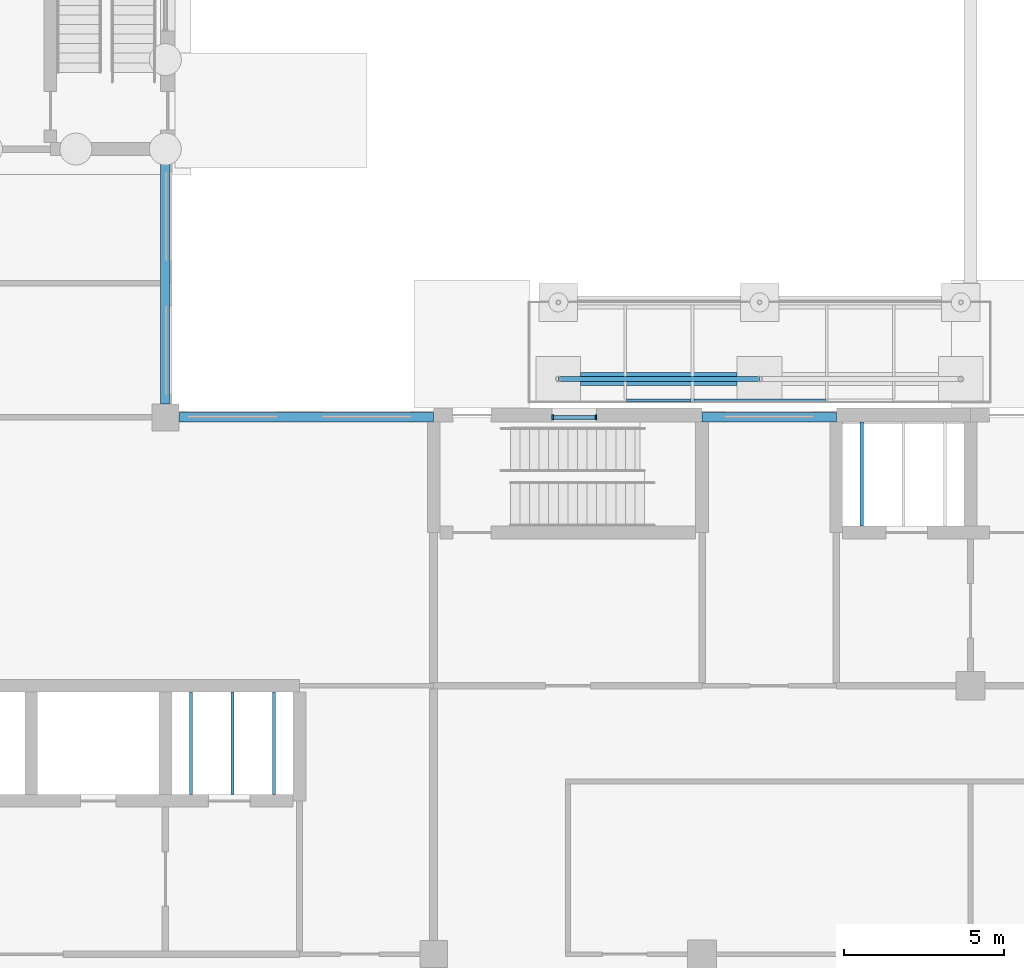
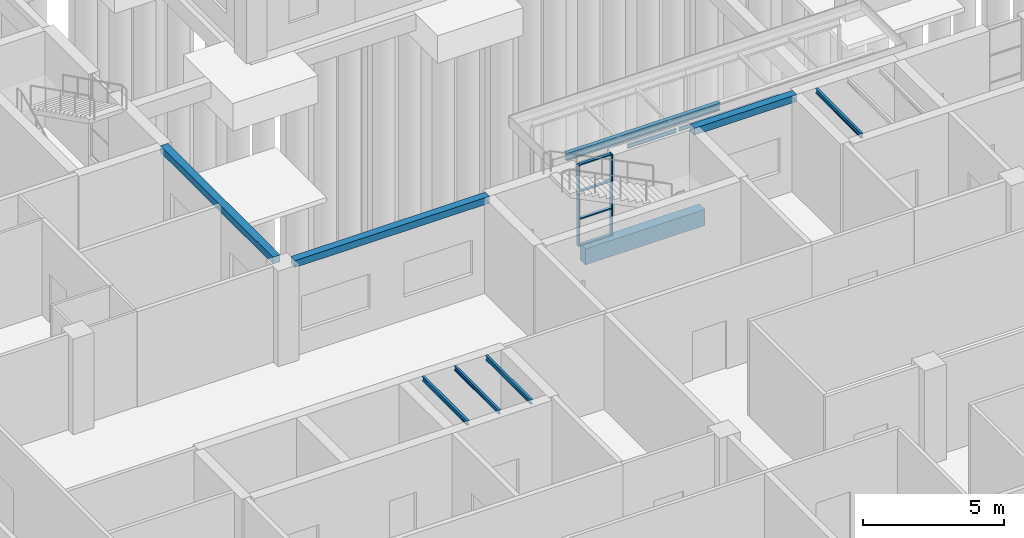
# One storey, part 32 of 138: 11 beams, 6 members, 1 element without a shape of its own.
"""IFC4 building model written with IfcOpenShell, lengths in metres."""

from ifc_helpers import new_model, si_unit, direction, frame, origin, origin_2d, place, context, subcontext, project, spatial, rectangle, i_section, extrude, material, material_profile, profile_set, type_object, element, aggregate, save


model = new_model("IFC4")

# Units and contexts
model_context = context("Model", 3, precision=1e-05, world=origin(), true_north=direction((0.0, 1.0)))
body_context = subcontext(model_context, "Body", "Model", "MODEL_VIEW")
ifc_project = project(units=[si_unit("LENGTHUNIT", "METRE"), si_unit("AREAUNIT", "SQUARE_METRE"), si_unit("VOLUMEUNIT", "CUBIC_METRE"), si_unit("PLANEANGLEUNIT", "RADIAN"), si_unit("MASSUNIT", "GRAM", prefix="KILO")], contexts=[model_context])

# Site, building, storey
site_placement = place(None, origin())
site = spatial("IfcSite", under=ifc_project, at=site_placement, CompositionType="ELEMENT")
building_placement = place(site_placement, origin())
building = spatial("IfcBuilding", under=site, at=building_placement, Name="Yavir Park General Hospital", CompositionType="ELEMENT")
storey_placement = place(building_placement, origin())
storey = spatial("IfcBuildingStorey", under=building, at=storey_placement, Name="L00", CompositionType="ELEMENT", Elevation=0.0)

# Beams
ifc_material_1 = material(Name="Steel S355", Category="steel")
ifc_material_profile_1 = material_profile(ifc_material_1, i_section(OverallWidth=0.08203125, OverallDepth=0.159912109375, WebThickness=0.0048828125, FlangeThickness=0.00732421875, FilletRadius=0.009033203125, at=origin_2d()), Name="IPE160")
ifc_profile_set_1 = profile_set([ifc_material_profile_1], Name="Steel S355")
beam_type_1 = type_object("IfcBeamType", Name="IPE 160 edge trimmer, up to 2.5 m span", PredefinedType="BEAM", material=ifc_profile_set_1)
beam_1_placement = place(storey_placement, frame((39.64111328125, 34.14111328125, 3.77001953125), z_axis=(1.0, 0.0, 0.0), x_axis=(0.0, 1.0, 0.0)))
element("IfcBeam", 1, at=beam_1_placement, inside=storey, type_object=beam_type_1, Name="B:ARC1:T1", PredefinedType="BEAM", context=body_context, shape_type="SweptSolid", body=[
    extrude(i_section(OverallWidth=0.08203125, OverallDepth=0.159912109375, WebThickness=0.0048828125, FlangeThickness=0.00732421875, FilletRadius=0.009033203125, at=origin_2d()), origin(), (0.0, 0.0, 1.0), 2.017822265625),
])
ifc_material_2 = material(Name="Steel S355", Category="steel")
ifc_material_profile_2 = material_profile(ifc_material_2, i_section(OverallWidth=0.08203125, OverallDepth=0.159912109375, WebThickness=0.0048828125, FlangeThickness=0.00732421875, FilletRadius=0.009033203125, at=origin_2d()), Name="IPE160")
ifc_profile_set_2 = profile_set([ifc_material_profile_2], Name="Steel S355")
beam_type_2 = type_object("IfcBeamType", Name="IPE 160 edge trimmer, up to 4.5 m span", PredefinedType="BEAM", material=ifc_profile_set_2)
beam_2_placement = place(storey_placement, frame((41.740966796875, 34.14111328125, 3.77001953125), z_axis=(1.0, 0.0, 0.0), x_axis=(0.0, 1.0, 0.0)))
element("IfcBeam", 2, at=beam_2_placement, inside=storey, type_object=beam_type_2, Name="B:ARC1:T2", PredefinedType="BEAM", context=body_context, shape_type="SweptSolid", body=[
    extrude(i_section(OverallWidth=0.08203125, OverallDepth=0.159912109375, WebThickness=0.0048828125, FlangeThickness=0.00732421875, FilletRadius=0.009033203125, at=origin_2d()), origin(), (0.0, 0.0, 1.0), 4.117919921875),
])
ifc_material_3 = material(Name="Steel S355", Category="steel")
ifc_material_profile_3 = material_profile(ifc_material_3, i_section(OverallWidth=0.091064453125, OverallDepth=0.179931640625, WebThickness=0.00537109375, FlangeThickness=0.008056640625, FilletRadius=0.009033203125, at=origin_2d()), Name="IPE180")
ifc_profile_set_3 = profile_set([ifc_material_profile_3], Name="Steel S355")
beam_type_3 = type_object("IfcBeamType", Name="IPE 180 lift hoist beam", PredefinedType="BEAM", material=ifc_profile_set_3)
beam_3_placement = place(storey_placement, frame((27.300048828125, 21.800048828125, 4.050048828125), z_axis=(0.0, 1.0, 0.0), x_axis=(-1.0, 0.0, 0.0)))
element("IfcBeam", 3, at=beam_3_placement, inside=storey, type_object=beam_type_3, Name="B:HOIST:FL1", PredefinedType="BEAM", context=body_context, shape_type="SweptSolid", body=[
    extrude(i_section(OverallWidth=0.091064453125, OverallDepth=0.179931640625, WebThickness=0.00537109375, FlangeThickness=0.008056640625, FilletRadius=0.009033203125, at=origin_2d()), origin(), (0.0, 0.0, 1.0), 3.199951171875),
])
ifc_material_4 = material(Name="Steel S355", Category="steel")
ifc_material_profile_4 = material_profile(ifc_material_4, i_section(OverallWidth=0.10009765625, OverallDepth=0.199951171875, WebThickness=0.005615234375, FlangeThickness=0.008544921875, FilletRadius=0.011962890625, at=origin_2d()), Name="IPE200")
ifc_profile_set_4 = profile_set([ifc_material_profile_4], Name="Steel S355")
beam_type_4 = type_object("IfcBeamType", Name="IPE 200 lift machine beam", PredefinedType="BEAM", material=ifc_profile_set_4)
for number, where, z_axis, x_axis, name in (
    (4, (26.0, 21.800048828125, 4.0400390625), (0.0, 1.0, 0.0), (-1.0, 0.0, 0.0), "B:MACH:FL1:0"),
    (5, (28.60009765625, 21.800048828125, 4.0400390625), (0.0, 1.0, 0.0), (-1.0, 0.0, 0.0), "B:MACH:FL1:1"),
):
    element("IfcBeam", number, at=place(storey_placement, frame(where, z_axis=z_axis, x_axis=x_axis)), inside=storey, type_object=beam_type_4, Name=name, PredefinedType="BEAM", context=body_context, shape_type="SweptSolid", body=[
        extrude(i_section(OverallWidth=0.10009765625, OverallDepth=0.199951171875, WebThickness=0.005615234375, FlangeThickness=0.008544921875, FilletRadius=0.011962890625, at=origin_2d()), origin(), (0.0, 0.0, 1.0), 3.199951171875),
    ])
beam_4_placement = place(storey_placement, frame((47.0, 30.199951171875, 4.0400390625), z_axis=(0.0, 1.0, 0.0), x_axis=(-1.0, 0.0, 0.0)))
element("IfcBeam", 6, at=beam_4_placement, inside=storey, type_object=beam_type_4, Name="B:MACH:FL2:0", PredefinedType="BEAM", context=body_context, shape_type="SweptSolid", body=[
    extrude(i_section(OverallWidth=0.10009765625, OverallDepth=0.199951171875, WebThickness=0.005615234375, FlangeThickness=0.008544921875, FilletRadius=0.011962890625, at=origin_2d()), origin(), (0.0, 0.0, 1.0), 3.25),
])
ifc_material_5 = material(Name="Steel S355", Category="steel")
ifc_material_profile_5 = material_profile(ifc_material_5, i_section(OverallWidth=0.159912109375, OverallDepth=0.330078125, WebThickness=0.007568359375, FlangeThickness=0.011474609375, FilletRadius=0.01806640625, at=origin_2d()), Name="IPE330")
ifc_profile_set_5 = profile_set([ifc_material_profile_5], Name="Steel S355")
beam_type_5 = type_object("IfcBeamType", Name="IPE 330 main beam, inner row, up to 6.5 m span", PredefinedType="BEAM", material=ifc_profile_set_5)
beam_5_placement = place(storey_placement, frame((37.5, 34.800048828125, 3.68505859375), z_axis=(1.0, 0.0, 0.0), x_axis=(0.0, 1.0, 0.0)))
element("IfcBeam", 7, at=beam_5_placement, inside=storey, type_object=beam_type_5, Name="B:ARC1:M00", PredefinedType="BEAM", context=body_context, shape_type="SweptSolid", body=[
    extrude(i_section(OverallWidth=0.159912109375, OverallDepth=0.330078125, WebThickness=0.007568359375, FlangeThickness=0.011474609375, FilletRadius=0.01806640625, at=origin_2d()), origin(), (0.0, 0.0, 1.0), 6.300048828125),
])
ifc_material_6 = material(Name="Concrete C35/45", Category="concrete")
ifc_material_profile_6 = material_profile(ifc_material_6, rectangle(XDim=0.300048828125, YDim=0.300048828125, at=origin_2d()), Name="RC300x300")
ifc_profile_set_6 = profile_set([ifc_material_profile_6], Name="Concrete C35/45")
beam_type_6 = type_object("IfcBeamType", Name="RC BEAM 300x300 edge beam", PredefinedType="BEAM", material=ifc_profile_set_6)
beam_6_placement = place(storey_placement, frame((25.625, 33.60009765625, 3.989990234375), z_axis=(1.0, 0.0, 0.0), x_axis=(0.0, 1.0, 0.0)))
element("IfcBeam", 8, at=beam_6_placement, inside=storey, type_object=beam_type_6, Name="B:EDGE:L00:013", PredefinedType="BEAM", context=body_context, shape_type="SweptSolid", body=[
    extrude(rectangle(XDim=0.300048828125, YDim=0.300048828125, at=origin_2d()), origin(), (0.0, 0.0, 1.0), 7.97509765625),
])
beam_7_placement = place(storey_placement, frame((42.0, 33.60009765625, 3.989990234375), z_axis=(1.0, 0.0, 0.0), x_axis=(0.0, 1.0, 0.0)))
element("IfcBeam", 9, at=beam_7_placement, inside=storey, type_object=beam_type_6, Name="B:EDGE:L00:014", PredefinedType="BEAM", context=body_context, shape_type="SweptSolid", body=[
    extrude(rectangle(XDim=0.300048828125, YDim=0.300048828125, at=origin_2d()), origin(), (0.0, 0.0, 1.0), 4.199951171875),
])
beam_8_placement = place(storey_placement, frame((25.199951171875, 34.02490234375, 3.989990234375), z_axis=(0.0, 1.0, 0.0), x_axis=(-1.0, 0.0, 0.0)))
element("IfcBeam", 10, at=beam_8_placement, inside=storey, type_object=beam_type_6, Name="B:EDGE:L00:035", PredefinedType="BEAM", context=body_context, shape_type="SweptSolid", body=[
    extrude(rectangle(XDim=0.300048828125, YDim=0.300048828125, at=origin_2d()), origin(), (0.0, 0.0, 1.0), 7.97509765625),
])
ifc_material_7 = material(Name="Concrete C35/45", Category="concrete")
ifc_material_profile_7 = material_profile(ifc_material_7, rectangle(XDim=0.39990234375, YDim=0.699951171875, at=origin_2d()), Name="RC400x700")
ifc_profile_set_7 = profile_set([ifc_material_profile_7], Name="Concrete C35/45")
beam_type_7 = type_object("IfcBeamType", Name="RC BEAM 400x700 ground beam", PredefinedType="BEAM", material=ifc_profile_set_7)
beam_9_placement = place(storey_placement, frame((38.199951171875, 34.800048828125, -0.800048828125), z_axis=(1.0, 0.0, 0.0), x_axis=(0.0, 1.0, 0.0)))
element("IfcBeam", 11, at=beam_9_placement, inside=storey, type_object=beam_type_7, Name="B:GND:ARC1:C00:ARC1:C01", PredefinedType="BEAM", context=body_context, shape_type="SweptSolid", body=[
    extrude(rectangle(XDim=0.39990234375, YDim=0.699951171875, at=origin_2d()), origin(), (0.0, 0.0, 1.0), 4.900146484375),
])

# Curtain wall, members
ifc_material_8 = material(Name="Aluminium curtain wall frame with insulated glazing", Category="aluminium")
curtain_wall_type = type_object("IfcCurtainWallType", Name="Stair light slot, ground floor, 3540 high, 1400 module", PredefinedType="NOTDEFINED", material=ifc_material_8)
curtain_wall_placement = place(storey_placement, origin())
curtain_wall = element("IfcCurtainWall", 12, at=curtain_wall_placement, inside=storey, type_object=curtain_wall_type, Name="CW19 L00-006", PredefinedType="NOTDEFINED")
ifc_material_9 = material(Name="Aluminium", Category="aluminium")
ifc_material_profile_8 = material_profile(ifc_material_9, rectangle(XDim=0.159912109375, YDim=0.050048828125, at=origin_2d()), Name="AL 50x160")
ifc_profile_set_8 = profile_set([ifc_material_profile_8], Name="Aluminium")
member_type_1 = type_object("IfcMemberType", Name="Stair light slot, ground floor, 3540 high mullion 50 x 160", PredefinedType="MULLION", material=ifc_profile_set_8)
member_1_placement = place(storey_placement, frame((37.324951171875, 33.60009765625, 0.60009765625), z_axis=(0.0, 0.0, 1.0), x_axis=(0.0, 1.0, 0.0)))
member_1 = element("IfcMember", 13, at=member_1_placement, type_object=member_type_1, Name="CW19 mullion 1", PredefinedType="MULLION", context=body_context, shape_type="SweptSolid", body=[
    extrude(rectangle(XDim=0.159912109375, YDim=0.050048828125, at=origin_2d()), origin(), (0.0, 0.0, 1.0), 3.539794921875),
])
member_2_placement = place(storey_placement, frame((38.675048828125, 33.60009765625, 0.60009765625), z_axis=(0.0, 0.0, 1.0), x_axis=(0.0, 1.0, 0.0)))
member_2 = element("IfcMember", 14, at=member_2_placement, type_object=member_type_1, Name="CW19 mullion 2", PredefinedType="MULLION", context=body_context, shape_type="SweptSolid", body=[
    extrude(rectangle(XDim=0.159912109375, YDim=0.050048828125, at=origin_2d()), origin(), (0.0, 0.0, 1.0), 3.539794921875),
])
ifc_material_10 = material(Name="Aluminium", Category="aluminium")
ifc_material_profile_9 = material_profile(ifc_material_10, rectangle(XDim=0.1201171875, YDim=0.050048828125, at=origin_2d()), Name="AL 120x50")
ifc_profile_set_9 = profile_set([ifc_material_profile_9], Name="Aluminium")
member_type_2 = type_object("IfcMemberType", Name="Stair light slot, ground floor, 3540 high transom 50 x 120", PredefinedType="MULLION", material=ifc_profile_set_9)
member_3_placement = place(storey_placement, frame((37.35009765625, 33.60009765625, 0.625), z_axis=(1.0, 0.0, 0.0), x_axis=(0.0, 1.0, 0.0)))
member_3 = element("IfcMember", 15, at=member_3_placement, type_object=member_type_2, Name="CW19 transom 1.1", PredefinedType="MULLION", context=body_context, shape_type="SweptSolid", body=[
    extrude(rectangle(XDim=0.1201171875, YDim=0.050048828125, at=origin_2d()), origin(), (0.0, 0.0, 1.0), 1.2998046875),
])
member_4_placement = place(storey_placement, frame((37.35009765625, 33.60009765625, 1.780029296875), z_axis=(1.0, 0.0, 0.0), x_axis=(0.0, 1.0, 0.0)))
member_4 = element("IfcMember", 16, at=member_4_placement, type_object=member_type_2, Name="CW19 transom 1.2", PredefinedType="MULLION", context=body_context, shape_type="SweptSolid", body=[
    extrude(rectangle(XDim=0.1201171875, YDim=0.050048828125, at=origin_2d()), origin(), (0.0, 0.0, 1.0), 1.2998046875),
])
member_5_placement = place(storey_placement, frame((37.35009765625, 33.60009765625, 2.9599609375), z_axis=(1.0, 0.0, 0.0), x_axis=(0.0, 1.0, 0.0)))
member_5 = element("IfcMember", 17, at=member_5_placement, type_object=member_type_2, Name="CW19 transom 1.3", PredefinedType="MULLION", context=body_context, shape_type="SweptSolid", body=[
    extrude(rectangle(XDim=0.1201171875, YDim=0.050048828125, at=origin_2d()), origin(), (0.0, 0.0, 1.0), 1.2998046875),
])
member_6_placement = place(storey_placement, frame((37.35009765625, 33.60009765625, 4.114990234375), z_axis=(1.0, 0.0, 0.0), x_axis=(0.0, 1.0, 0.0)))
member_6 = element("IfcMember", 18, at=member_6_placement, type_object=member_type_2, Name="CW19 transom 1.4", PredefinedType="MULLION", context=body_context, shape_type="SweptSolid", body=[
    extrude(rectangle(XDim=0.1201171875, YDim=0.050048828125, at=origin_2d()), origin(), (0.0, 0.0, 1.0), 1.2998046875),
])
aggregate(curtain_wall, [member_1, member_2, member_3, member_4, member_5, member_6])

save(model, "model.ifc")
